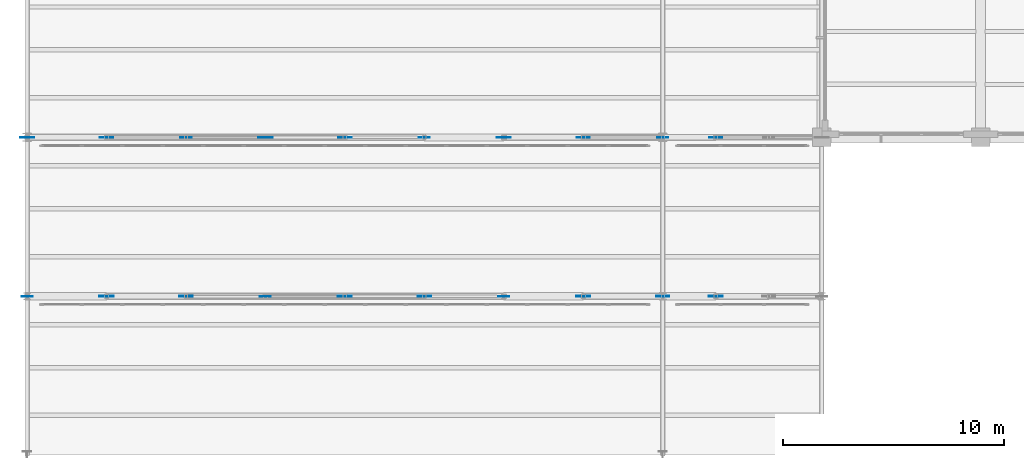
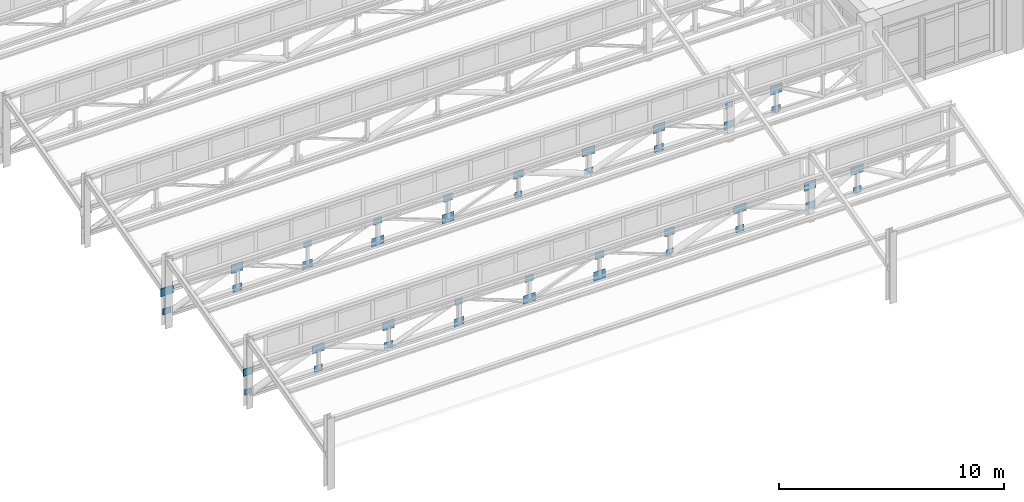
# One storey, part 78 of 98: 40 plates.
"""IFC4 building model written with IfcOpenShell, lengths in metres."""

from ifc_helpers import new_model, si_unit, direction, frame, origin, origin_2d, place, context, subcontext, project, spatial, rectangle, extrude, material, layer, layer_set, type_object, element, save


model = new_model("IFC4")

# Units and contexts
model_context = context("Model", 3, precision=1e-05, world=origin(), true_north=direction((0.0, 1.0)))
body_context = subcontext(model_context, "Body", "Model", "MODEL_VIEW")
ifc_project = project(units=[si_unit("LENGTHUNIT", "METRE"), si_unit("AREAUNIT", "SQUARE_METRE"), si_unit("VOLUMEUNIT", "CUBIC_METRE"), si_unit("PLANEANGLEUNIT", "RADIAN"), si_unit("MASSUNIT", "GRAM", prefix="KILO")], contexts=[model_context])

# Site, building, storey
site_placement = place(None, origin())
site = spatial("IfcSite", under=ifc_project, at=site_placement, CompositionType="ELEMENT")
building_placement = place(site_placement, origin())
building = spatial("IfcBuilding", under=site, at=building_placement, Name="Solenvale Faculty of Natural Sciences", CompositionType="ELEMENT")
storey_placement = place(building_placement, frame((0.0, 0.0, 9.0)))
storey = spatial("IfcBuildingStorey", under=building, at=storey_placement, Name="L02", CompositionType="ELEMENT", Elevation=9.0)

# Plates
ifc_material = material(Name="Steel S355", Category="steel")
ifc_layer_1 = layer(ifc_material, 0.01806640625)
ifc_layer_set_1 = layer_set([ifc_layer_1], Name="Steel S355")
plate_type_1 = type_object("IfcPlateType", Name="PLT-GUS-380x304x18", PredefinedType="SHEET", material=ifc_layer_set_1)
for number, where, z_axis, x_axis, name in (
    (1, (0.0, 7.199951171875, 0.67822265625), (0.0, 0.0, 1.0), (1.0, 0.0, 0.0), "V1 Truss 1.1 Node Gusset NPB0"),
    (2, (10.800048828125, 7.199951171875, 1.7578125), (0.0, 0.0, 1.0), (1.0, 0.0, 0.0), "V1 Truss 1.1 Node Gusset NPU3"),
    (3, (21.60009765625, 7.199951171875, 0.67822265625), (0.0, 0.0, 1.0), (1.0, 0.0, 0.0), "V1 Truss 1.1 Node Gusset NPB6"),
    (4, (7.199951171875, 14.39990234375, 1.7578125), (0.0, 0.0, 1.0), (1.0, 0.0, 0.0), "V1 Truss 2.1 Node Gusset NPU2"),
    (5, (18.0, 14.39990234375, 0.67822265625), (0.0, 0.0, 1.0), (1.0, 0.0, 0.0), "V1 Truss 2.1 Node Gusset NPB5"),
    (6, (28.800048828125, 14.39990234375, 1.7578125), (0.0, 0.0, 1.0), (1.0, 0.0, 0.0), "V1 Truss 2.1 Node Gusset NPU8"),
):
    element("IfcPlate", number, at=place(storey_placement, frame(where, z_axis=z_axis, x_axis=x_axis)), inside=storey, type_object=plate_type_1, Name=name, PredefinedType="SHEET", context=body_context, shape_type="SweptSolid", body=[
        extrude(rectangle(XDim=0.3798828125, YDim=0.01806640625, at=origin_2d()), origin(), (0.0, 0.0, 1.0), 0.303955078125),
    ])
ifc_layer_2 = layer(ifc_material, 0.02001953125)
ifc_layer_set_2 = layer_set([ifc_layer_2], Name="Steel S355")
plate_type_2 = type_object("IfcPlateType", Name="PLT-GUS-420x336x20", PredefinedType="SHEET", material=ifc_layer_set_2)
for number, where, z_axis, x_axis, name in (
    (7, (3.60009765625, 7.199951171875, 0.662109375), (0.0, 0.0, 1.0), (1.0, 0.0, 0.0), "V1 Truss 1.1 Node Gusset NPB1"),
    (8, (14.39990234375, 7.199951171875, 1.741943359375), (0.0, 0.0, 1.0), (1.0, 0.0, 0.0), "V1 Truss 1.1 Node Gusset NPU4"),
    (9, (25.199951171875, 7.199951171875, 0.662109375), (0.0, 0.0, 1.0), (1.0, 0.0, 0.0), "V1 Truss 1.1 Node Gusset NPB7"),
    (10, (31.199951171875, 7.199951171875, 0.662109375), (0.0, 0.0, 1.0), (1.0, 0.0, 0.0), "V1 Truss 1.2 Node Gusset NPB1"),
    (11, (0.0, 14.39990234375, 0.662109375), (0.0, 0.0, 1.0), (1.0, 0.0, 0.0), "V1 Truss 2.1 Node Gusset NPB0"),
    (12, (10.800048828125, 14.39990234375, 1.741943359375), (0.0, 0.0, 1.0), (1.0, 0.0, 0.0), "V1 Truss 2.1 Node Gusset NPU3"),
    (13, (21.60009765625, 14.39990234375, 0.662109375), (0.0, 0.0, 1.0), (1.0, 0.0, 0.0), "V1 Truss 2.1 Node Gusset NPB6"),
):
    element("IfcPlate", number, at=place(storey_placement, frame(where, z_axis=z_axis, x_axis=x_axis)), inside=storey, type_object=plate_type_2, Name=name, PredefinedType="SHEET", context=body_context, shape_type="SweptSolid", body=[
        extrude(rectangle(XDim=0.419921875, YDim=0.02001953125, at=origin_2d()), origin(), (0.0, 0.0, 1.0), 0.3359375),
    ])
ifc_layer_3 = layer(ifc_material, 0.02197265625)
ifc_layer_set_3 = layer_set([ifc_layer_3], Name="Steel S355")
plate_type_3 = type_object("IfcPlateType", Name="PLT-GUS-460x368x22", PredefinedType="SHEET", material=ifc_layer_set_3)
for number, where, z_axis, x_axis, name in (
    (14, (7.199951171875, 7.199951171875, 0.64599609375), (0.0, 0.0, 1.0), (1.0, 0.0, 0.0), "V1 Truss 1.1 Node Gusset NPB2"),
    (15, (18.0, 7.199951171875, 1.72607421875), (0.0, 0.0, 1.0), (1.0, 0.0, 0.0), "V1 Truss 1.1 Node Gusset NPU5"),
    (16, (28.800048828125, 7.199951171875, 0.64599609375), (0.0, 0.0, 1.0), (1.0, 0.0, 0.0), "V1 Truss 1.1 Node Gusset NPB8"),
    (17, (3.60009765625, 14.39990234375, 0.64599609375), (0.0, 0.0, 1.0), (1.0, 0.0, 0.0), "V1 Truss 2.1 Node Gusset NPB1"),
    (18, (14.39990234375, 14.39990234375, 1.72607421875), (0.0, 0.0, 1.0), (1.0, 0.0, 0.0), "V1 Truss 2.1 Node Gusset NPU4"),
    (19, (25.199951171875, 14.39990234375, 0.64599609375), (0.0, 0.0, 1.0), (1.0, 0.0, 0.0), "V1 Truss 2.1 Node Gusset NPB7"),
    (20, (31.199951171875, 14.39990234375, 0.64599609375), (0.0, 0.0, 1.0), (1.0, 0.0, 0.0), "V1 Truss 2.2 Node Gusset NPB1"),
):
    element("IfcPlate", number, at=place(storey_placement, frame(where, z_axis=z_axis, x_axis=x_axis)), inside=storey, type_object=plate_type_3, Name=name, PredefinedType="SHEET", context=body_context, shape_type="SweptSolid", body=[
        extrude(rectangle(XDim=0.4599609375, YDim=0.02197265625, at=origin_2d()), origin(), (0.0, 0.0, 1.0), 0.367919921875),
    ])
ifc_layer_4 = layer(ifc_material, 0.02392578125)
ifc_layer_set_4 = layer_set([ifc_layer_4], Name="Steel S355")
plate_type_4 = type_object("IfcPlateType", Name="PLT-GUS-500x400x24", PredefinedType="SHEET", material=ifc_layer_set_4)
for number, where, z_axis, x_axis, name in (
    (21, (0.0, 7.199951171875, 1.7099609375), (0.0, 0.0, 1.0), (1.0, 0.0, 0.0), "V1 Truss 1.1 Node Gusset NPU0"),
    (22, (10.800048828125, 7.199951171875, 0.630126953125), (0.0, 0.0, 1.0), (1.0, 0.0, 0.0), "V1 Truss 1.1 Node Gusset NPB3"),
    (23, (21.60009765625, 7.199951171875, 1.7099609375), (0.0, 0.0, 1.0), (1.0, 0.0, 0.0), "V1 Truss 1.1 Node Gusset NPU6"),
    (24, (7.199951171875, 14.39990234375, 0.630126953125), (0.0, 0.0, 1.0), (1.0, 0.0, 0.0), "V1 Truss 2.1 Node Gusset NPB2"),
    (25, (18.0, 14.39990234375, 1.7099609375), (0.0, 0.0, 1.0), (1.0, 0.0, 0.0), "V1 Truss 2.1 Node Gusset NPU5"),
    (26, (28.800048828125, 14.39990234375, 0.630126953125), (0.0, 0.0, 1.0), (1.0, 0.0, 0.0), "V1 Truss 2.1 Node Gusset NPB8"),
):
    element("IfcPlate", number, at=place(storey_placement, frame(where, z_axis=z_axis, x_axis=x_axis)), inside=storey, type_object=plate_type_4, Name=name, PredefinedType="SHEET", context=body_context, shape_type="SweptSolid", body=[
        extrude(rectangle(XDim=0.5, YDim=0.02392578125, at=origin_2d()), origin(), (0.0, 0.0, 1.0), 0.39990234375),
    ])
ifc_layer_5 = layer(ifc_material, 0.02490234375)
ifc_layer_set_5 = layer_set([ifc_layer_5], Name="Steel S355")
plate_type_5 = type_object("IfcPlateType", Name="PLT-GUS-540x432x25", PredefinedType="SHEET", material=ifc_layer_set_5)
for number, where, z_axis, x_axis, name in (
    (27, (3.60009765625, 7.199951171875, 1.69384765625), (0.0, 0.0, 1.0), (1.0, 0.0, 0.0), "V1 Truss 1.1 Node Gusset NPU1"),
    (28, (14.39990234375, 7.199951171875, 0.6142578125), (0.0, 0.0, 1.0), (1.0, 0.0, 0.0), "V1 Truss 1.1 Node Gusset NPB4"),
    (29, (25.199951171875, 7.199951171875, 1.69384765625), (0.0, 0.0, 1.0), (1.0, 0.0, 0.0), "V1 Truss 1.1 Node Gusset NPU7"),
    (30, (31.199951171875, 7.199951171875, 1.69384765625), (0.0, 0.0, 1.0), (1.0, 0.0, 0.0), "V1 Truss 1.2 Node Gusset NPU1"),
    (31, (0.0, 14.39990234375, 1.69384765625), (0.0, 0.0, 1.0), (1.0, 0.0, 0.0), "V1 Truss 2.1 Node Gusset NPU0"),
    (32, (10.800048828125, 14.39990234375, 0.6142578125), (0.0, 0.0, 1.0), (1.0, 0.0, 0.0), "V1 Truss 2.1 Node Gusset NPB3"),
    (33, (21.60009765625, 14.39990234375, 1.69384765625), (0.0, 0.0, 1.0), (1.0, 0.0, 0.0), "V1 Truss 2.1 Node Gusset NPU6"),
):
    element("IfcPlate", number, at=place(storey_placement, frame(where, z_axis=z_axis, x_axis=x_axis)), inside=storey, type_object=plate_type_5, Name=name, PredefinedType="SHEET", context=body_context, shape_type="SweptSolid", body=[
        extrude(rectangle(XDim=0.639892578125, YDim=0.02490234375, at=origin_2d()), origin(), (0.0, 0.0, 1.0), 0.431884765625),
    ])
ifc_layer_6 = layer(ifc_material, 0.028076171875)
ifc_layer_set_6 = layer_set([ifc_layer_6], Name="Steel S355")
plate_type_6 = type_object("IfcPlateType", Name="PLT-GUS-600x480x28", PredefinedType="SHEET", material=ifc_layer_set_6)
for number, where, z_axis, x_axis, name in (
    (34, (7.199951171875, 7.199951171875, 1.669921875), (0.0, 0.0, 1.0), (1.0, 0.0, 0.0), "V1 Truss 1.1 Node Gusset NPU2"),
    (35, (18.0, 7.199951171875, 0.590087890625), (0.0, 0.0, 1.0), (1.0, 0.0, 0.0), "V1 Truss 1.1 Node Gusset NPB5"),
    (36, (28.800048828125, 7.199951171875, 1.669921875), (0.0, 0.0, 1.0), (1.0, 0.0, 0.0), "V1 Truss 1.1 Node Gusset NPU8"),
    (37, (3.60009765625, 14.39990234375, 1.669921875), (0.0, 0.0, 1.0), (1.0, 0.0, 0.0), "V1 Truss 2.1 Node Gusset NPU1"),
    (38, (14.39990234375, 14.39990234375, 0.590087890625), (0.0, 0.0, 1.0), (1.0, 0.0, 0.0), "V1 Truss 2.1 Node Gusset NPB4"),
    (39, (25.199951171875, 14.39990234375, 1.669921875), (0.0, 0.0, 1.0), (1.0, 0.0, 0.0), "V1 Truss 2.1 Node Gusset NPU7"),
    (40, (31.199951171875, 14.39990234375, 1.669921875), (0.0, 0.0, 1.0), (1.0, 0.0, 0.0), "V1 Truss 2.2 Node Gusset NPU1"),
):
    element("IfcPlate", number, at=place(storey_placement, frame(where, z_axis=z_axis, x_axis=x_axis)), inside=storey, type_object=plate_type_6, Name=name, PredefinedType="SHEET", context=body_context, shape_type="SweptSolid", body=[
        extrude(rectangle(XDim=0.60009765625, YDim=0.028076171875, at=origin_2d()), origin(), (0.0, 0.0, 1.0), 0.47998046875),
    ])

save(model, "model.ifc")
